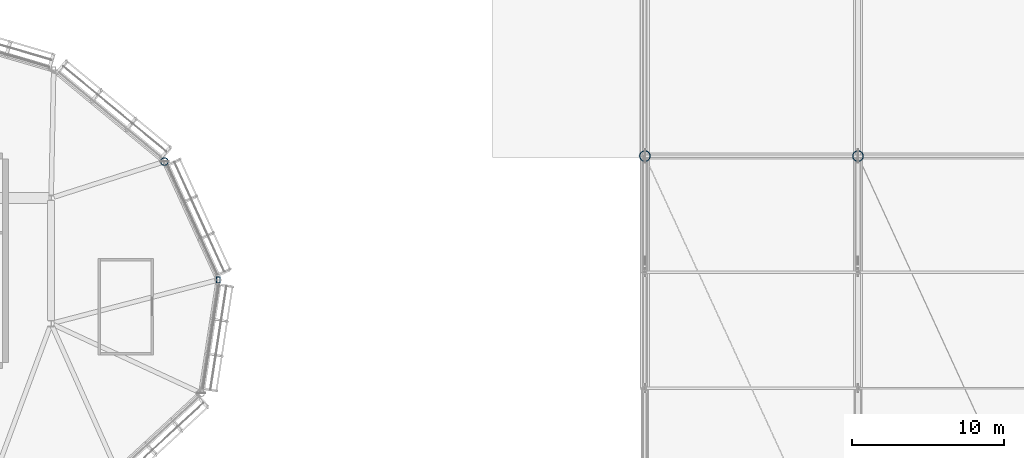
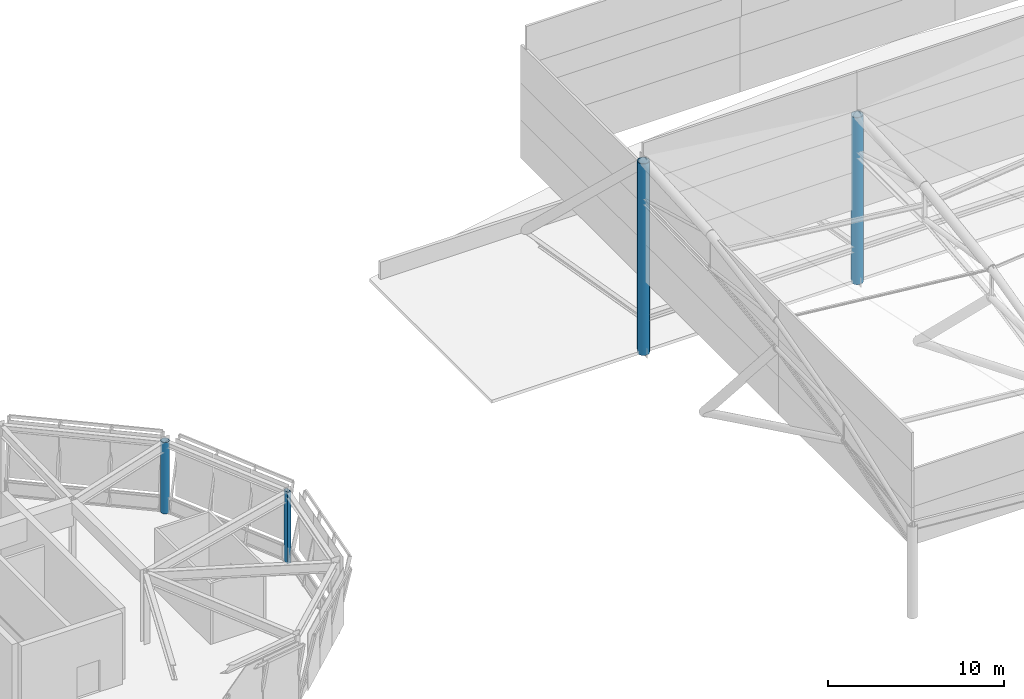
# One storey, part 10 of 113: 4 columns.
"""IFC4 building model written with IfcOpenShell, lengths in metres."""

from ifc_helpers import new_model, si_unit, direction, frame, origin, origin_2d, place, context, subcontext, project, spatial, hollow_rectangle, hollow_circle, extrude, material, material_profile, profile_set, type_object, element, save


model = new_model("IFC4")

# Units and contexts
model_context = context("Model", 3, precision=1e-05, world=origin(), true_north=direction((0.0, 1.0)))
body_context = subcontext(model_context, "Body", "Model", "MODEL_VIEW")
ifc_project = project(units=[si_unit("LENGTHUNIT", "METRE"), si_unit("AREAUNIT", "SQUARE_METRE"), si_unit("VOLUMEUNIT", "CUBIC_METRE"), si_unit("PLANEANGLEUNIT", "RADIAN"), si_unit("MASSUNIT", "GRAM", prefix="KILO")], contexts=[model_context])

# Site, building, storey
site_placement = place(None, origin())
site = spatial("IfcSite", under=ifc_project, at=site_placement, CompositionType="ELEMENT")
building_placement = place(site_placement, origin())
building = spatial("IfcBuilding", under=site, at=building_placement, Name="Linyun Crest Stadium", CompositionType="ELEMENT")
storey_placement = place(building_placement, frame((0.0, 0.0, 26.39990234375)))
storey = spatial("IfcBuildingStorey", under=building, at=storey_placement, Name="L06", CompositionType="ELEMENT", Elevation=26.39990234375)

# Columns
ifc_material_1 = material(Name="Steel Q420C", Category="steel")
ifc_material_profile_1 = material_profile(ifc_material_1, hollow_circle(Radius=0.35546875, WallThickness=0.031982421875, at=origin_2d()), Name="CHS 711x32")
ifc_profile_set_1 = profile_set([ifc_material_profile_1], Name="Steel Q420C")
column_type_1 = type_object("IfcColumnType", Name="MST02", PredefinedType="USERDEFINED", material=ifc_profile_set_1)
column_1_placement = place(storey_placement, frame((-28.0, 91.5, -0.21484375), z_axis=(0.0, 0.0, 1.0), x_axis=(1.0, 0.0, 0.0)))
element("IfcColumn", 1, at=column_1_placement, inside=storey, type_object=column_type_1, Name="Roof mast MST02 V3 33", ObjectType="ROOF MAST", PredefinedType="USERDEFINED", context=body_context, shape_type="SweptSolid", body=[
    extrude(hollow_circle(Radius=0.35546875, WallThickness=0.031982421875, at=origin_2d()), origin(), (0.0, 0.0, 1.0), 13.264892578125),
])
column_2_placement = place(storey_placement, frame((-14.0, 91.5, -0.21484375), z_axis=(0.0, 0.0, 1.0), x_axis=(1.0, 0.0, 0.0)))
element("IfcColumn", 2, at=column_2_placement, inside=storey, type_object=column_type_1, Name="Roof mast MST02 V3 35", ObjectType="ROOF MAST", PredefinedType="USERDEFINED", context=body_context, shape_type="SweptSolid", body=[
    extrude(hollow_circle(Radius=0.35546875, WallThickness=0.031982421875, at=origin_2d()), origin(), (0.0, 0.0, 1.0), 11.56494140625),
])
ifc_material_2 = material(Name="Steel Q355C", Category="steel")
ifc_material_profile_2 = material_profile(ifc_material_2, hollow_circle(Radius=0.25390625, WallThickness=0.02490234375, at=origin_2d()), Name="CHS 508x25")
ifc_profile_set_2 = profile_set([ifc_material_profile_2], Name="Steel Q355C")
column_type_2 = type_object("IfcColumnType", Name="SC05", PredefinedType="COLUMN", material=ifc_profile_set_2)
column_3_placement = place(storey_placement, frame((-59.55908203125, 91.139892578125, 0.0), z_axis=(0.0, 0.0, 1.0), x_axis=(1.0, 0.0, 0.0)))
element("IfcColumn", 3, at=column_3_placement, inside=storey, type_object=column_type_2, Name="Pod perimeter column SC05 L06 957", PredefinedType="COLUMN", context=body_context, shape_type="SweptSolid", body=[
    extrude(hollow_circle(Radius=0.25390625, WallThickness=0.02490234375, at=origin_2d()), origin(), (0.0, 0.0, 1.0), 4.945068359375),
])
ifc_material_3 = material(Name="Steel Q355C", Category="steel")
ifc_material_profile_3 = material_profile(ifc_material_3, hollow_rectangle(XDim=0.25, YDim=0.39990234375, WallThickness=0.01611328125, at=origin_2d()), Name="RHS 400x250x16")
ifc_profile_set_3 = profile_set([ifc_material_profile_3], Name="Steel Q355C")
column_type_3 = type_object("IfcColumnType", Name="SC06", PredefinedType="COLUMN", material=ifc_profile_set_3)
column_4_placement = place(storey_placement, frame((-56.02099609375, 83.3720703125, 0.0), z_axis=(0.0, 0.0, 1.0), x_axis=(1.0, 0.0, 0.0)))
element("IfcColumn", 4, at=column_4_placement, inside=storey, type_object=column_type_3, Name="Pod perimeter column SC06 L06 953", PredefinedType="COLUMN", context=body_context, shape_type="SweptSolid", body=[
    extrude(hollow_rectangle(XDim=0.25, YDim=0.39990234375, WallThickness=0.01611328125, at=origin_2d()), origin(), (0.0, 0.0, 1.0), 4.945068359375),
])

save(model, "model.ifc")
